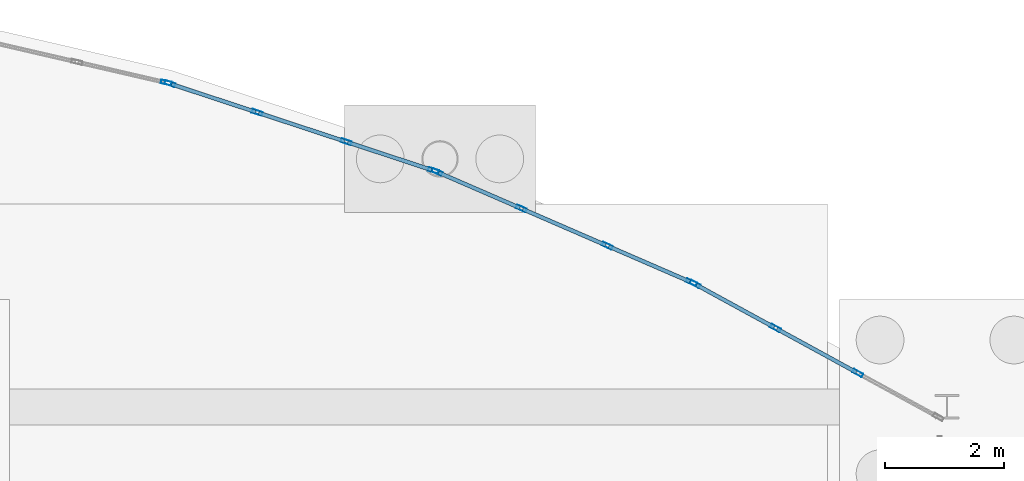
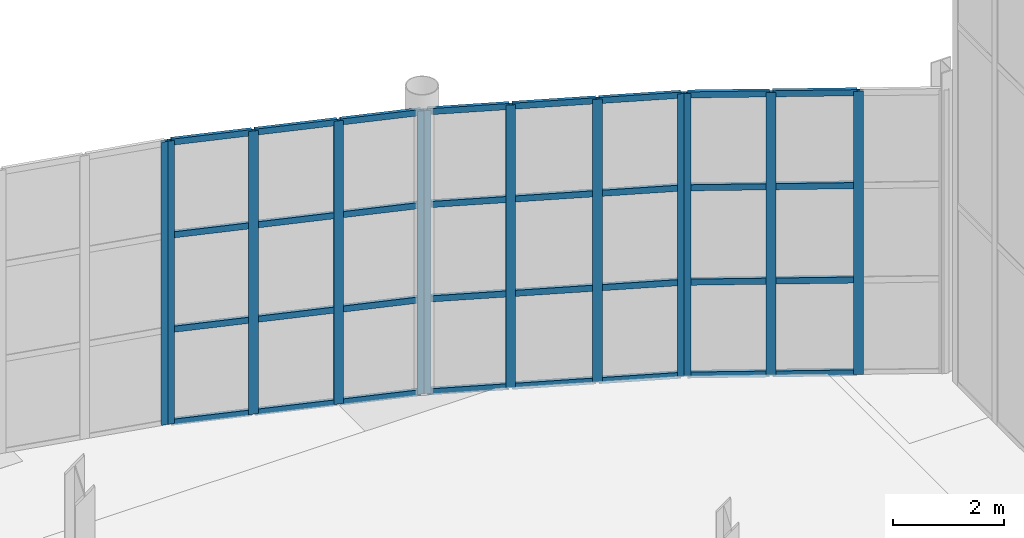
# One storey, part 64 of 115: 44 members, 4 elements without a shape of their own.
"""IFC4 building model written with IfcOpenShell, lengths in metres."""

from ifc_helpers import new_model, si_unit, direction, frame, origin, origin_2d, place, context, subcontext, project, spatial, hollow_rectangle, extrude, material, layer, layer_set, material_profile, profile_set, type_object, element, aggregate, save


model = new_model("IFC4")

# Units and contexts
model_context = context("Model", 3, precision=1e-05, world=origin(), true_north=direction((0.0, 1.0)))
body_context = subcontext(model_context, "Body", "Model", "MODEL_VIEW")
ifc_project = project(units=[si_unit("LENGTHUNIT", "METRE"), si_unit("AREAUNIT", "SQUARE_METRE"), si_unit("VOLUMEUNIT", "CUBIC_METRE"), si_unit("PLANEANGLEUNIT", "RADIAN"), si_unit("MASSUNIT", "GRAM", prefix="KILO")], contexts=[model_context])

# Site, building, storey
site_placement = place(None, origin())
site = spatial("IfcSite", under=ifc_project, at=site_placement, CompositionType="ELEMENT")
building_placement = place(site_placement, origin())
building = spatial("IfcBuilding", under=site, at=building_placement, Name="Tamarisk Ironworks Central Station", CompositionType="ELEMENT")
storey_placement = place(building_placement, origin())
storey = spatial("IfcBuildingStorey", under=building, at=storey_placement, Name="L00", CompositionType="ELEMENT", Elevation=0.0)

# Curtain wall, member
ifc_material = material(Name="Anodized aluminium alloy 6063-T6", Category="aluminium")
ifc_layer = layer(ifc_material, 0.179931640625)
ifc_layer_set = layer_set([ifc_layer], Name="Anodized aluminium alloy 6063-T6")
curtain_wall_type = type_object("IfcCurtainWallType", Name="CW-01", PredefinedType="USERDEFINED", material=ifc_layer_set)
curtain_wall_1_placement = place(storey_placement, origin())
curtain_wall_1 = element("IfcCurtainWall", 1, at=curtain_wall_1_placement, inside=storey, type_object=curtain_wall_type, Name="NN rounded entrance hall L00 curtain wall bay 09", ObjectType="GLAZED CURTAIN WALL", PredefinedType="USERDEFINED")
ifc_material_profile_1 = material_profile(ifc_material, hollow_rectangle(XDim=0.06494140625, YDim=0.179931640625, WallThickness=0.00390625, at=origin_2d()), Name="ALUM 180x65")
ifc_profile_set_1 = profile_set([ifc_material_profile_1], Name="Anodized aluminium alloy 6063-T6")
member_type_1 = type_object("IfcMemberType", Name="CWM-02", PredefinedType="MULLION", material=ifc_profile_set_1)
member_1_placement = place(storey_placement, frame((94.92724609375, 117.029296875, 0.0), z_axis=(0.0, 0.0, 1.0), x_axis=(0.225516966506, 0.974239240545, 0.0)))
member_1 = element("IfcMember", 2, at=member_1_placement, type_object=member_type_1, Name="CW01 mullion 4", PredefinedType="MULLION", context=body_context, shape_type="SweptSolid", body=[
    extrude(hollow_rectangle(XDim=0.06494140625, YDim=0.179931640625, WallThickness=0.00390625, at=origin_2d()), origin(), (0.0, 0.0, 1.0), 6.219970703125),
])
aggregate(curtain_wall_1, [member_1])

# Curtain wall, members
curtain_wall_2_placement = place(storey_placement, origin())
curtain_wall_2 = element("IfcCurtainWall", 3, at=curtain_wall_2_placement, inside=storey, type_object=curtain_wall_type, Name="NN rounded entrance hall L00 curtain wall bay 10", ObjectType="GLAZED CURTAIN WALL", PredefinedType="USERDEFINED")
member_2_placement = place(storey_placement, frame((94.98974609375, 117.01171875, 0.0), z_axis=(0.0, 0.0, 1.0), x_axis=(0.313098460171, 0.949720671692, 0.0)))
member_2 = element("IfcMember", 4, at=member_2_placement, type_object=member_type_1, Name="CW01 mullion 1", PredefinedType="MULLION", context=body_context, shape_type="SweptSolid", body=[
    extrude(hollow_rectangle(XDim=0.06494140625, YDim=0.179931640625, WallThickness=0.00390625, at=origin_2d()), origin(), (0.0, 0.0, 1.0), 6.219970703125),
])
member_3_placement = place(storey_placement, frame((96.449951171875, 116.530517578125, 0.0), z_axis=(0.0, 0.0, 1.0), x_axis=(0.313098460171, 0.949720671692, 0.0)))
member_3 = element("IfcMember", 5, at=member_3_placement, type_object=member_type_1, Name="CW01 mullion 2", PredefinedType="MULLION", context=body_context, shape_type="SweptSolid", body=[
    extrude(hollow_rectangle(XDim=0.06494140625, YDim=0.179931640625, WallThickness=0.00390625, at=origin_2d()), origin(), (0.0, 0.0, 1.0), 6.219970703125),
])
member_4_placement = place(storey_placement, frame((97.94091796875, 116.038818359375, 0.0), z_axis=(0.0, 0.0, 1.0), x_axis=(0.313098460171, 0.949720671692, 0.0)))
member_4 = element("IfcMember", 6, at=member_4_placement, type_object=member_type_1, Name="CW01 mullion 3", PredefinedType="MULLION", context=body_context, shape_type="SweptSolid", body=[
    extrude(hollow_rectangle(XDim=0.06494140625, YDim=0.179931640625, WallThickness=0.00390625, at=origin_2d()), origin(), (0.0, 0.0, 1.0), 6.219970703125),
])
member_5_placement = place(storey_placement, frame((99.40087890625, 115.5576171875, 0.0), z_axis=(0.0, 0.0, 1.0), x_axis=(0.313098460171, 0.949720671692, 0.0)))
member_5 = element("IfcMember", 7, at=member_5_placement, type_object=member_type_1, Name="CW01 mullion 4", PredefinedType="MULLION", context=body_context, shape_type="SweptSolid", body=[
    extrude(hollow_rectangle(XDim=0.06494140625, YDim=0.179931640625, WallThickness=0.00390625, at=origin_2d()), origin(), (0.0, 0.0, 1.0), 6.219970703125),
])

curtain_wall_3_placement = place(storey_placement, origin())
curtain_wall_3 = element("IfcCurtainWall", 8, at=curtain_wall_3_placement, inside=storey, type_object=curtain_wall_type, Name="NN rounded entrance hall L00 curtain wall bay 11", ObjectType="GLAZED CURTAIN WALL", PredefinedType="USERDEFINED")
member_6_placement = place(storey_placement, frame((99.461669921875, 115.534423828125, 0.0), z_axis=(0.0, 0.0, 1.0), x_axis=(0.398076935564, 0.917352033503, 0.0)))
member_6 = element("IfcMember", 9, at=member_6_placement, type_object=member_type_1, Name="CW01 mullion 1", PredefinedType="MULLION", context=body_context, shape_type="SweptSolid", body=[
    extrude(hollow_rectangle(XDim=0.06494140625, YDim=0.179931640625, WallThickness=0.00390625, at=origin_2d()), origin(), (0.0, 0.0, 1.0), 6.219970703125),
])
member_7_placement = place(storey_placement, frame((100.871826171875, 114.92236328125, 0.0), z_axis=(0.0, 0.0, 1.0), x_axis=(0.398076935564, 0.917352033503, 0.0)))
member_7 = element("IfcMember", 10, at=member_7_placement, type_object=member_type_1, Name="CW01 mullion 2", PredefinedType="MULLION", context=body_context, shape_type="SweptSolid", body=[
    extrude(hollow_rectangle(XDim=0.06494140625, YDim=0.179931640625, WallThickness=0.00390625, at=origin_2d()), origin(), (0.0, 0.0, 1.0), 6.219970703125),
])
member_8_placement = place(storey_placement, frame((102.31201171875, 114.297607421875, 0.0), z_axis=(0.0, 0.0, 1.0), x_axis=(0.398076935564, 0.917352033503, 0.0)))
member_8 = element("IfcMember", 11, at=member_8_placement, type_object=member_type_1, Name="CW01 mullion 3", PredefinedType="MULLION", context=body_context, shape_type="SweptSolid", body=[
    extrude(hollow_rectangle(XDim=0.06494140625, YDim=0.179931640625, WallThickness=0.00390625, at=origin_2d()), origin(), (0.0, 0.0, 1.0), 6.219970703125),
])
member_9_placement = place(storey_placement, frame((103.722412109375, 113.685546875, 0.0), z_axis=(0.0, 0.0, 1.0), x_axis=(0.398076935564, 0.917352033503, 0.0)))
member_9 = element("IfcMember", 12, at=member_9_placement, type_object=member_type_1, Name="CW01 mullion 4", PredefinedType="MULLION", context=body_context, shape_type="SweptSolid", body=[
    extrude(hollow_rectangle(XDim=0.06494140625, YDim=0.179931640625, WallThickness=0.00390625, at=origin_2d()), origin(), (0.0, 0.0, 1.0), 6.219970703125),
])

curtain_wall_4_placement = place(storey_placement, origin())
curtain_wall_4 = element("IfcCurtainWall", 13, at=curtain_wall_4_placement, inside=storey, type_object=curtain_wall_type, Name="NN rounded entrance hall L00 curtain wall bay 12", ObjectType="GLAZED CURTAIN WALL", PredefinedType="USERDEFINED")
member_10_placement = place(storey_placement, frame((103.78076171875, 113.656982421875, 0.0), z_axis=(0.0, 0.0, 1.0), x_axis=(0.47980544644, 0.877374910495, 0.0)))
member_10 = element("IfcMember", 14, at=member_10_placement, type_object=member_type_1, Name="CW01 mullion 1", PredefinedType="MULLION", context=body_context, shape_type="SweptSolid", body=[
    extrude(hollow_rectangle(XDim=0.06494140625, YDim=0.179931640625, WallThickness=0.00390625, at=origin_2d()), origin(), (0.0, 0.0, 1.0), 6.219970703125),
])
member_11_placement = place(storey_placement, frame((105.129638671875, 112.91943359375, 0.0), z_axis=(0.0, 0.0, 1.0), x_axis=(0.47980544644, 0.877374910495, 0.0)))
member_11 = element("IfcMember", 15, at=member_11_placement, type_object=member_type_1, Name="CW01 mullion 2", PredefinedType="MULLION", context=body_context, shape_type="SweptSolid", body=[
    extrude(hollow_rectangle(XDim=0.06494140625, YDim=0.179931640625, WallThickness=0.00390625, at=origin_2d()), origin(), (0.0, 0.0, 1.0), 6.219970703125),
])
member_12_placement = place(storey_placement, frame((106.5068359375, 112.166015625, 0.0), z_axis=(0.0, 0.0, 1.0), x_axis=(0.47980544644, 0.877374910495, 0.0)))
member_12 = element("IfcMember", 16, at=member_12_placement, type_object=member_type_1, Name="CW01 mullion 3", PredefinedType="MULLION", context=body_context, shape_type="SweptSolid", body=[
    extrude(hollow_rectangle(XDim=0.06494140625, YDim=0.179931640625, WallThickness=0.00390625, at=origin_2d()), origin(), (0.0, 0.0, 1.0), 6.219970703125),
])

# Member
ifc_material_profile_2 = material_profile(ifc_material, hollow_rectangle(XDim=0.06494140625, YDim=0.135009765625, WallThickness=0.00341796875, at=origin_2d()), Name="ALUM 135x65")
ifc_profile_set_2 = profile_set([ifc_material_profile_2], Name="Anodized aluminium alloy 6063-T6")
member_type_2 = type_object("IfcMemberType", Name="CWT-02", PredefinedType="USERDEFINED", material=ifc_profile_set_2)
member_13_placement = place(storey_placement, frame((95.016845703125, 117.0029296875, 0.032470703125), z_axis=(0.94970076435, -0.3131588386, 0.0), x_axis=(0.3131588386, 0.94970076435, 0.0)))
member_13 = element("IfcMember", 17, at=member_13_placement, type_object=member_type_2, Name="CW01 transom 1.1", ObjectType="TRANSOM", PredefinedType="USERDEFINED", context=body_context, shape_type="SweptSolid", body=[
    extrude(hollow_rectangle(XDim=0.06494140625, YDim=0.135009765625, WallThickness=0.00341796875, at=origin_2d()), origin(), (0.0, 0.0, 1.0), 1.48046875),
])

member_14_placement = place(storey_placement, frame((95.016845703125, 117.0029296875, 2.0732421875), z_axis=(0.94970076435, -0.3131588386, 0.0), x_axis=(0.3131588386, 0.94970076435, 0.0)))
member_14 = element("IfcMember", 18, at=member_14_placement, type_object=member_type_2, Name="CW01 transom 1.2", ObjectType="TRANSOM", PredefinedType="USERDEFINED", context=body_context, shape_type="SweptSolid", body=[
    extrude(hollow_rectangle(XDim=0.06494140625, YDim=0.135009765625, WallThickness=0.00341796875, at=origin_2d()), origin(), (0.0, 0.0, 1.0), 1.48046875),
])

member_15_placement = place(storey_placement, frame((95.016845703125, 117.0029296875, 4.146728515625), z_axis=(0.94970076435, -0.3131588386, 0.0), x_axis=(0.3131588386, 0.94970076435, 0.0)))
member_15 = element("IfcMember", 19, at=member_15_placement, type_object=member_type_2, Name="CW01 transom 1.3", ObjectType="TRANSOM", PredefinedType="USERDEFINED", context=body_context, shape_type="SweptSolid", body=[
    extrude(hollow_rectangle(XDim=0.06494140625, YDim=0.135009765625, WallThickness=0.00341796875, at=origin_2d()), origin(), (0.0, 0.0, 1.0), 1.48046875),
])

member_16_placement = place(storey_placement, frame((95.016845703125, 117.0029296875, 6.1875), z_axis=(0.94970076435, -0.3131588386, 0.0), x_axis=(0.3131588386, 0.94970076435, 0.0)))
member_16 = element("IfcMember", 20, at=member_16_placement, type_object=member_type_2, Name="CW01 transom 1.4", ObjectType="TRANSOM", PredefinedType="USERDEFINED", context=body_context, shape_type="SweptSolid", body=[
    extrude(hollow_rectangle(XDim=0.06494140625, YDim=0.135009765625, WallThickness=0.00341796875, at=origin_2d()), origin(), (0.0, 0.0, 1.0), 1.48046875),
])

member_17_placement = place(storey_placement, frame((96.47705078125, 116.521484375, 0.032470703125), z_axis=(0.949727054968, -0.313079097135, 0.0), x_axis=(0.313079097135, 0.949727054968, 0.0)))
member_17 = element("IfcMember", 21, at=member_17_placement, type_object=member_type_2, Name="CW01 transom 2.1", ObjectType="TRANSOM", PredefinedType="USERDEFINED", context=body_context, shape_type="SweptSolid", body=[
    extrude(hollow_rectangle(XDim=0.06494140625, YDim=0.135009765625, WallThickness=0.00341796875, at=origin_2d()), origin(), (0.0, 0.0, 1.0), 1.512939453125),
])

member_18_placement = place(storey_placement, frame((96.47705078125, 116.521484375, 2.0732421875), z_axis=(0.949727054968, -0.313079097135, 0.0), x_axis=(0.313079097135, 0.949727054968, 0.0)))
member_18 = element("IfcMember", 22, at=member_18_placement, type_object=member_type_2, Name="CW01 transom 2.2", ObjectType="TRANSOM", PredefinedType="USERDEFINED", context=body_context, shape_type="SweptSolid", body=[
    extrude(hollow_rectangle(XDim=0.06494140625, YDim=0.135009765625, WallThickness=0.00341796875, at=origin_2d()), origin(), (0.0, 0.0, 1.0), 1.512939453125),
])

member_19_placement = place(storey_placement, frame((96.47705078125, 116.521484375, 4.146728515625), z_axis=(0.949727054968, -0.313079097135, 0.0), x_axis=(0.313079097135, 0.949727054968, 0.0)))
member_19 = element("IfcMember", 23, at=member_19_placement, type_object=member_type_2, Name="CW01 transom 2.3", ObjectType="TRANSOM", PredefinedType="USERDEFINED", context=body_context, shape_type="SweptSolid", body=[
    extrude(hollow_rectangle(XDim=0.06494140625, YDim=0.135009765625, WallThickness=0.00341796875, at=origin_2d()), origin(), (0.0, 0.0, 1.0), 1.512939453125),
])

member_20_placement = place(storey_placement, frame((96.47705078125, 116.521484375, 6.1875), z_axis=(0.949727054968, -0.313079097135, 0.0), x_axis=(0.313079097135, 0.949727054968, 0.0)))
member_20 = element("IfcMember", 24, at=member_20_placement, type_object=member_type_2, Name="CW01 transom 2.4", ObjectType="TRANSOM", PredefinedType="USERDEFINED", context=body_context, shape_type="SweptSolid", body=[
    extrude(hollow_rectangle(XDim=0.06494140625, YDim=0.135009765625, WallThickness=0.00341796875, at=origin_2d()), origin(), (0.0, 0.0, 1.0), 1.512939453125),
])

member_21_placement = place(storey_placement, frame((97.968017578125, 116.030029296875, 0.032470703125), z_axis=(0.949684588352, -0.313207890462, 0.0), x_axis=(0.313207890462, 0.949684588352, 0.0)))
member_21 = element("IfcMember", 25, at=member_21_placement, type_object=member_type_2, Name="CW01 transom 3.1", ObjectType="TRANSOM", PredefinedType="USERDEFINED", context=body_context, shape_type="SweptSolid", body=[
    extrude(hollow_rectangle(XDim=0.06494140625, YDim=0.135009765625, WallThickness=0.00341796875, at=origin_2d()), origin(), (0.0, 0.0, 1.0), 1.480224609375),
])

member_22_placement = place(storey_placement, frame((97.968017578125, 116.030029296875, 2.0732421875), z_axis=(0.949684588352, -0.313207890462, 0.0), x_axis=(0.313207890462, 0.949684588352, 0.0)))
member_22 = element("IfcMember", 26, at=member_22_placement, type_object=member_type_2, Name="CW01 transom 3.2", ObjectType="TRANSOM", PredefinedType="USERDEFINED", context=body_context, shape_type="SweptSolid", body=[
    extrude(hollow_rectangle(XDim=0.06494140625, YDim=0.135009765625, WallThickness=0.00341796875, at=origin_2d()), origin(), (0.0, 0.0, 1.0), 1.480224609375),
])

member_23_placement = place(storey_placement, frame((97.968017578125, 116.030029296875, 4.146728515625), z_axis=(0.949684588352, -0.313207890462, 0.0), x_axis=(0.313207890462, 0.949684588352, 0.0)))
member_23 = element("IfcMember", 27, at=member_23_placement, type_object=member_type_2, Name="CW01 transom 3.3", ObjectType="TRANSOM", PredefinedType="USERDEFINED", context=body_context, shape_type="SweptSolid", body=[
    extrude(hollow_rectangle(XDim=0.06494140625, YDim=0.135009765625, WallThickness=0.00341796875, at=origin_2d()), origin(), (0.0, 0.0, 1.0), 1.480224609375),
])

member_24_placement = place(storey_placement, frame((97.968017578125, 116.030029296875, 6.1875), z_axis=(0.949684588352, -0.313207890462, 0.0), x_axis=(0.313207890462, 0.949684588352, 0.0)))
member_24 = element("IfcMember", 28, at=member_24_placement, type_object=member_type_2, Name="CW01 transom 3.4", ObjectType="TRANSOM", PredefinedType="USERDEFINED", context=body_context, shape_type="SweptSolid", body=[
    extrude(hollow_rectangle(XDim=0.06494140625, YDim=0.135009765625, WallThickness=0.00341796875, at=origin_2d()), origin(), (0.0, 0.0, 1.0), 1.480224609375),
])

aggregate(curtain_wall_2, [member_2, member_3, member_4, member_5, member_13, member_14, member_15, member_16, member_17, member_18, member_19, member_20, member_21, member_22, member_23, member_24])

member_25_placement = place(storey_placement, frame((99.48779296875, 115.523193359375, 0.032470703125), z_axis=(0.917326827597, -0.398135016508, 0.0), x_axis=(0.398135016508, 0.917326827597, 0.0)))
member_25 = element("IfcMember", 29, at=member_25_placement, type_object=member_type_2, Name="CW01 transom 1.1", ObjectType="TRANSOM", PredefinedType="USERDEFINED", context=body_context, shape_type="SweptSolid", body=[
    extrude(hollow_rectangle(XDim=0.06494140625, YDim=0.135009765625, WallThickness=0.00341796875, at=origin_2d()), origin(), (0.0, 0.0, 1.0), 1.480224609375),
])

member_26_placement = place(storey_placement, frame((99.48779296875, 115.523193359375, 2.0732421875), z_axis=(0.917326827597, -0.398135016508, 0.0), x_axis=(0.398135016508, 0.917326827597, 0.0)))
member_26 = element("IfcMember", 30, at=member_26_placement, type_object=member_type_2, Name="CW01 transom 1.2", ObjectType="TRANSOM", PredefinedType="USERDEFINED", context=body_context, shape_type="SweptSolid", body=[
    extrude(hollow_rectangle(XDim=0.06494140625, YDim=0.135009765625, WallThickness=0.00341796875, at=origin_2d()), origin(), (0.0, 0.0, 1.0), 1.480224609375),
])

member_27_placement = place(storey_placement, frame((99.48779296875, 115.523193359375, 4.146728515625), z_axis=(0.917326827597, -0.398135016508, 0.0), x_axis=(0.398135016508, 0.917326827597, 0.0)))
member_27 = element("IfcMember", 31, at=member_27_placement, type_object=member_type_2, Name="CW01 transom 1.3", ObjectType="TRANSOM", PredefinedType="USERDEFINED", context=body_context, shape_type="SweptSolid", body=[
    extrude(hollow_rectangle(XDim=0.06494140625, YDim=0.135009765625, WallThickness=0.00341796875, at=origin_2d()), origin(), (0.0, 0.0, 1.0), 1.480224609375),
])

member_28_placement = place(storey_placement, frame((99.48779296875, 115.523193359375, 6.1875), z_axis=(0.917326827597, -0.398135016508, 0.0), x_axis=(0.398135016508, 0.917326827597, 0.0)))
member_28 = element("IfcMember", 32, at=member_28_placement, type_object=member_type_2, Name="CW01 transom 1.4", ObjectType="TRANSOM", PredefinedType="USERDEFINED", context=body_context, shape_type="SweptSolid", body=[
    extrude(hollow_rectangle(XDim=0.06494140625, YDim=0.135009765625, WallThickness=0.00341796875, at=origin_2d()), origin(), (0.0, 0.0, 1.0), 1.480224609375),
])

member_29_placement = place(storey_placement, frame((100.898193359375, 114.9111328125, 0.032470703125), z_axis=(0.917323881544, -0.398141804322, 0.0), x_axis=(0.398141804322, 0.917323881544, 0.0)))
member_29 = element("IfcMember", 33, at=member_29_placement, type_object=member_type_2, Name="CW01 transom 2.1", ObjectType="TRANSOM", PredefinedType="USERDEFINED", context=body_context, shape_type="SweptSolid", body=[
    extrude(hollow_rectangle(XDim=0.06494140625, YDim=0.135009765625, WallThickness=0.00341796875, at=origin_2d()), origin(), (0.0, 0.0, 1.0), 1.5126953125),
])

member_30_placement = place(storey_placement, frame((100.898193359375, 114.9111328125, 2.0732421875), z_axis=(0.917323881544, -0.398141804322, 0.0), x_axis=(0.398141804322, 0.917323881544, 0.0)))
member_30 = element("IfcMember", 34, at=member_30_placement, type_object=member_type_2, Name="CW01 transom 2.2", ObjectType="TRANSOM", PredefinedType="USERDEFINED", context=body_context, shape_type="SweptSolid", body=[
    extrude(hollow_rectangle(XDim=0.06494140625, YDim=0.135009765625, WallThickness=0.00341796875, at=origin_2d()), origin(), (0.0, 0.0, 1.0), 1.5126953125),
])

member_31_placement = place(storey_placement, frame((100.898193359375, 114.9111328125, 4.146728515625), z_axis=(0.917323881544, -0.398141804322, 0.0), x_axis=(0.398141804322, 0.917323881544, 0.0)))
member_31 = element("IfcMember", 35, at=member_31_placement, type_object=member_type_2, Name="CW01 transom 2.3", ObjectType="TRANSOM", PredefinedType="USERDEFINED", context=body_context, shape_type="SweptSolid", body=[
    extrude(hollow_rectangle(XDim=0.06494140625, YDim=0.135009765625, WallThickness=0.00341796875, at=origin_2d()), origin(), (0.0, 0.0, 1.0), 1.5126953125),
])

member_32_placement = place(storey_placement, frame((100.898193359375, 114.9111328125, 6.1875), z_axis=(0.917323881544, -0.398141804322, 0.0), x_axis=(0.398141804322, 0.917323881544, 0.0)))
member_32 = element("IfcMember", 36, at=member_32_placement, type_object=member_type_2, Name="CW01 transom 2.4", ObjectType="TRANSOM", PredefinedType="USERDEFINED", context=body_context, shape_type="SweptSolid", body=[
    extrude(hollow_rectangle(XDim=0.06494140625, YDim=0.135009765625, WallThickness=0.00341796875, at=origin_2d()), origin(), (0.0, 0.0, 1.0), 1.5126953125),
])

member_33_placement = place(storey_placement, frame((102.338134765625, 114.2861328125, 0.032470703125), z_axis=(0.917352964572, -0.398074789947, 0.0), x_axis=(0.398074789947, 0.917352964572, 0.0)))
member_33 = element("IfcMember", 37, at=member_33_placement, type_object=member_type_2, Name="CW01 transom 3.1", ObjectType="TRANSOM", PredefinedType="USERDEFINED", context=body_context, shape_type="SweptSolid", body=[
    extrude(hollow_rectangle(XDim=0.06494140625, YDim=0.135009765625, WallThickness=0.00341796875, at=origin_2d()), origin(), (0.0, 0.0, 1.0), 1.48046875),
])

member_34_placement = place(storey_placement, frame((102.338134765625, 114.2861328125, 2.0732421875), z_axis=(0.917352964572, -0.398074789947, 0.0), x_axis=(0.398074789947, 0.917352964572, 0.0)))
member_34 = element("IfcMember", 38, at=member_34_placement, type_object=member_type_2, Name="CW01 transom 3.2", ObjectType="TRANSOM", PredefinedType="USERDEFINED", context=body_context, shape_type="SweptSolid", body=[
    extrude(hollow_rectangle(XDim=0.06494140625, YDim=0.135009765625, WallThickness=0.00341796875, at=origin_2d()), origin(), (0.0, 0.0, 1.0), 1.48046875),
])

member_35_placement = place(storey_placement, frame((102.338134765625, 114.2861328125, 4.146728515625), z_axis=(0.917352964572, -0.398074789947, 0.0), x_axis=(0.398074789947, 0.917352964572, 0.0)))
member_35 = element("IfcMember", 39, at=member_35_placement, type_object=member_type_2, Name="CW01 transom 3.3", ObjectType="TRANSOM", PredefinedType="USERDEFINED", context=body_context, shape_type="SweptSolid", body=[
    extrude(hollow_rectangle(XDim=0.06494140625, YDim=0.135009765625, WallThickness=0.00341796875, at=origin_2d()), origin(), (0.0, 0.0, 1.0), 1.48046875),
])

member_36_placement = place(storey_placement, frame((102.338134765625, 114.2861328125, 6.1875), z_axis=(0.917352964572, -0.398074789947, 0.0), x_axis=(0.398074789947, 0.917352964572, 0.0)))
member_36 = element("IfcMember", 40, at=member_36_placement, type_object=member_type_2, Name="CW01 transom 3.4", ObjectType="TRANSOM", PredefinedType="USERDEFINED", context=body_context, shape_type="SweptSolid", body=[
    extrude(hollow_rectangle(XDim=0.06494140625, YDim=0.135009765625, WallThickness=0.00341796875, at=origin_2d()), origin(), (0.0, 0.0, 1.0), 1.48046875),
])

aggregate(curtain_wall_3, [member_6, member_7, member_8, member_9, member_25, member_26, member_27, member_28, member_29, member_30, member_31, member_32, member_33, member_34, member_35, member_36])

member_37_placement = place(storey_placement, frame((103.8056640625, 113.643310546875, 0.032470703125), z_axis=(0.877397174043, -0.479764732949, 0.0), x_axis=(0.479764732949, 0.877397174043, 0.0)))
member_37 = element("IfcMember", 41, at=member_37_placement, type_object=member_type_2, Name="CW01 transom 1.1", ObjectType="TRANSOM", PredefinedType="USERDEFINED", context=body_context, shape_type="SweptSolid", body=[
    extrude(hollow_rectangle(XDim=0.06494140625, YDim=0.135009765625, WallThickness=0.00341796875, at=origin_2d()), origin(), (0.0, 0.0, 1.0), 1.480224609375),
])

member_38_placement = place(storey_placement, frame((103.8056640625, 113.643310546875, 2.0732421875), z_axis=(0.877397174043, -0.479764732949, 0.0), x_axis=(0.479764732949, 0.877397174043, 0.0)))
member_38 = element("IfcMember", 42, at=member_38_placement, type_object=member_type_2, Name="CW01 transom 1.2", ObjectType="TRANSOM", PredefinedType="USERDEFINED", context=body_context, shape_type="SweptSolid", body=[
    extrude(hollow_rectangle(XDim=0.06494140625, YDim=0.135009765625, WallThickness=0.00341796875, at=origin_2d()), origin(), (0.0, 0.0, 1.0), 1.480224609375),
])

member_39_placement = place(storey_placement, frame((103.8056640625, 113.643310546875, 4.146728515625), z_axis=(0.877397174043, -0.479764732949, 0.0), x_axis=(0.479764732949, 0.877397174043, 0.0)))
member_39 = element("IfcMember", 43, at=member_39_placement, type_object=member_type_2, Name="CW01 transom 1.3", ObjectType="TRANSOM", PredefinedType="USERDEFINED", context=body_context, shape_type="SweptSolid", body=[
    extrude(hollow_rectangle(XDim=0.06494140625, YDim=0.135009765625, WallThickness=0.00341796875, at=origin_2d()), origin(), (0.0, 0.0, 1.0), 1.480224609375),
])

member_40_placement = place(storey_placement, frame((103.8056640625, 113.643310546875, 6.1875), z_axis=(0.877397174043, -0.479764732949, 0.0), x_axis=(0.479764732949, 0.877397174043, 0.0)))
member_40 = element("IfcMember", 44, at=member_40_placement, type_object=member_type_2, Name="CW01 transom 1.4", ObjectType="TRANSOM", PredefinedType="USERDEFINED", context=body_context, shape_type="SweptSolid", body=[
    extrude(hollow_rectangle(XDim=0.06494140625, YDim=0.135009765625, WallThickness=0.00341796875, at=origin_2d()), origin(), (0.0, 0.0, 1.0), 1.480224609375),
])

member_41_placement = place(storey_placement, frame((105.154541015625, 112.90576171875, 0.032470703125), z_axis=(0.877327618727, -0.479891914308, 0.0), x_axis=(0.479891914308, 0.877327618727, 0.0)))
member_41 = element("IfcMember", 45, at=member_41_placement, type_object=member_type_2, Name="CW01 transom 2.1", ObjectType="TRANSOM", PredefinedType="USERDEFINED", context=body_context, shape_type="SweptSolid", body=[
    extrude(hollow_rectangle(XDim=0.06494140625, YDim=0.135009765625, WallThickness=0.00341796875, at=origin_2d()), origin(), (0.0, 0.0, 1.0), 1.512939453125),
])

member_42_placement = place(storey_placement, frame((105.154541015625, 112.90576171875, 2.0732421875), z_axis=(0.877327618727, -0.479891914308, 0.0), x_axis=(0.479891914308, 0.877327618727, 0.0)))
member_42 = element("IfcMember", 46, at=member_42_placement, type_object=member_type_2, Name="CW01 transom 2.2", ObjectType="TRANSOM", PredefinedType="USERDEFINED", context=body_context, shape_type="SweptSolid", body=[
    extrude(hollow_rectangle(XDim=0.06494140625, YDim=0.135009765625, WallThickness=0.00341796875, at=origin_2d()), origin(), (0.0, 0.0, 1.0), 1.512939453125),
])

member_43_placement = place(storey_placement, frame((105.154541015625, 112.90576171875, 4.146728515625), z_axis=(0.877327618727, -0.479891914308, 0.0), x_axis=(0.479891914308, 0.877327618727, 0.0)))
member_43 = element("IfcMember", 47, at=member_43_placement, type_object=member_type_2, Name="CW01 transom 2.3", ObjectType="TRANSOM", PredefinedType="USERDEFINED", context=body_context, shape_type="SweptSolid", body=[
    extrude(hollow_rectangle(XDim=0.06494140625, YDim=0.135009765625, WallThickness=0.00341796875, at=origin_2d()), origin(), (0.0, 0.0, 1.0), 1.512939453125),
])

member_44_placement = place(storey_placement, frame((105.154541015625, 112.90576171875, 6.1875), z_axis=(0.877327618727, -0.479891914308, 0.0), x_axis=(0.479891914308, 0.877327618727, 0.0)))
member_44 = element("IfcMember", 48, at=member_44_placement, type_object=member_type_2, Name="CW01 transom 2.4", ObjectType="TRANSOM", PredefinedType="USERDEFINED", context=body_context, shape_type="SweptSolid", body=[
    extrude(hollow_rectangle(XDim=0.06494140625, YDim=0.135009765625, WallThickness=0.00341796875, at=origin_2d()), origin(), (0.0, 0.0, 1.0), 1.512939453125),
])

aggregate(curtain_wall_4, [member_10, member_11, member_12, member_37, member_38, member_39, member_40, member_41, member_42, member_43, member_44])

save(model, "model.ifc")
